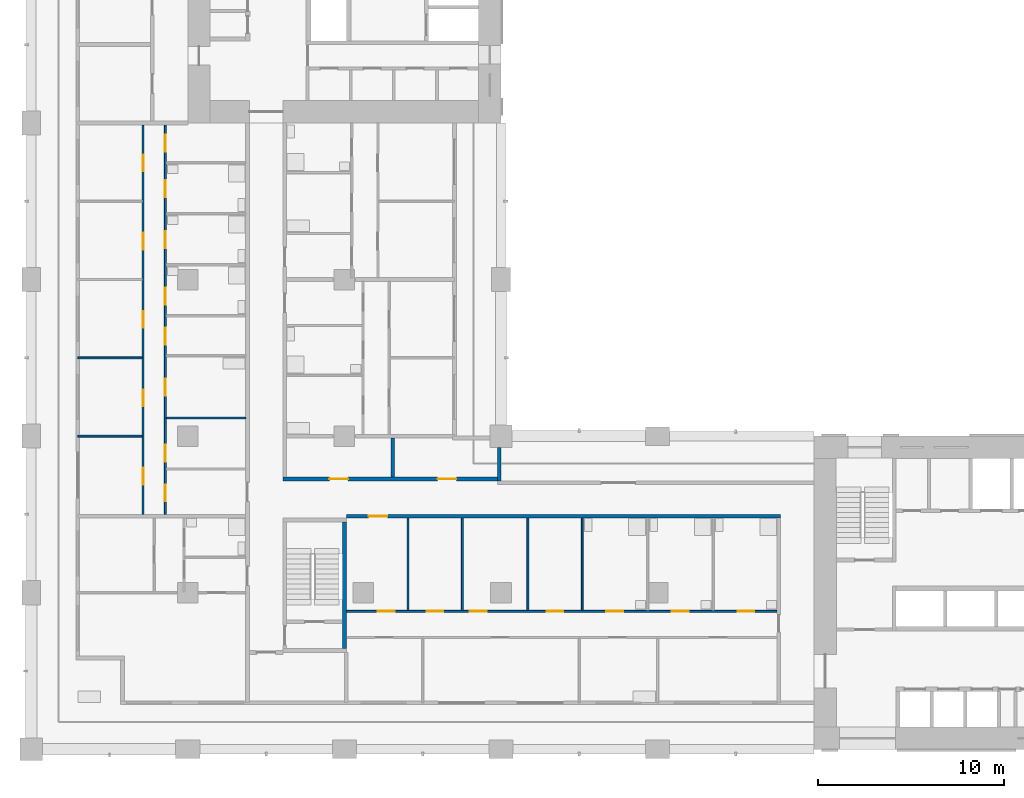
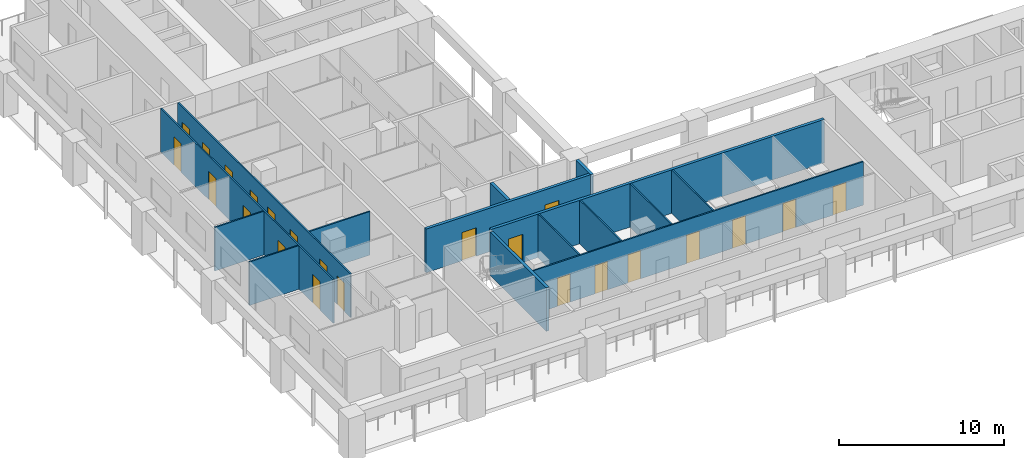
# One storey, part 3 of 17: 23 doors, 15 walls, 23 openings.
"""IFC4 building model written with IfcOpenShell, lengths in metres."""

import ifcopenshell
import ifcopenshell.guid

model = None  # the IFC model being written
_history = None  # IfcOwnerHistory: only IFC2X3 demands one
_inside = {}  # id of a spatial element -> (the spatial element, [elements in it])
_under = {}  # id of a project, library or spatial element -> (it, [spatial elements below it])
_declared = {}  # id of a project -> (the project, [libraries it declares])
_typed = {}  # id of a type object -> (the type object, [elements of that type])
_made_of = {}  # id of a material, layer set ... -> (it, [elements and type objects made of it])


def new_model(schema):
    """Start an empty IFC model of exactly this schema.

    Asked for "IFC4X3", IfcOpenShell would pick the latest addendum, in which some entities
    have other attributes; the version numbers below select the first issue.
    IFC2X3 requires an IfcOwnerHistory on every rooted entity: one is made here for all.
    """
    global model, _history
    if schema == "IFC4X3":
        model = ifcopenshell.file(schema_version=(4, 3, 0, 0))
    else:
        model = ifcopenshell.file(schema=schema)
    _inside.clear()
    _under.clear()
    _declared.clear()
    _typed.clear()
    _made_of.clear()
    _history = None
    if model.schema == "IFC2X3":
        org = make("IfcOrganization", Name="unknown")
        user = make(
            "IfcPersonAndOrganization",
            ThePerson=make("IfcPerson", FamilyName="unknown"),
            TheOrganization=org,
        )
        app = make(
            "IfcApplication",
            ApplicationDeveloper=org,
            Version="unknown",
            ApplicationFullName="unknown",
            ApplicationIdentifier="unknown",
        )
        _history = make(
            "IfcOwnerHistory",
            OwningUser=user,
            OwningApplication=app,
            ChangeAction="ADDED",
            CreationDate=0,
        )
    return model


def make(cls, **values):
    """One entity of the class cls with the attributes given. An attribute that is None is left unset."""
    return model.create_entity(
        cls, **{name: value for name, value in values.items() if value is not None}
    )


def rooted(cls, **values):
    """An entity with a GlobalId (a new one), such as an element, a storey or a relation."""
    return make(cls, GlobalId=ifcopenshell.guid.new(), OwnerHistory=_history, **values)


def si_unit(unit_type, name, prefix=None):
    """IfcSIUnit, for example si_unit("LENGTHUNIT", "METRE", prefix="MILLI")."""
    return make("IfcSIUnit", UnitType=unit_type, Prefix=prefix, Name=name)


def assignment(units):
    """IfcUnitAssignment: the units of a project."""
    return None if units is None else make("IfcUnitAssignment", Units=units)


def point(xyz):
    """IfcCartesianPoint."""
    return None if xyz is None else make("IfcCartesianPoint", Coordinates=xyz)


def direction(xyz):
    """IfcDirection."""
    return None if xyz is None else make("IfcDirection", DirectionRatios=xyz)


def frame(location, z_axis=None, x_axis=None):
    """IfcAxis2Placement3D, a coordinate frame: its origin and axes. An axis left out is left unset."""
    return make(
        "IfcAxis2Placement3D",
        Location=point(location),
        Axis=direction(z_axis),
        RefDirection=direction(x_axis),
    )


def frame_2d(location, x_axis=None):
    """IfcAxis2Placement2D, a coordinate frame in the plane: its origin and x axis."""
    return make(
        "IfcAxis2Placement2D", Location=point(location), RefDirection=direction(x_axis)
    )


def origin():
    """The frame at (0, 0, 0) with its axes left unset."""
    return frame((0.0, 0.0, 0.0))


def place(relative_to, where):
    """IfcLocalPlacement: puts the frame where relative to a parent placement (None: the world)."""
    return make(
        "IfcLocalPlacement", PlacementRelTo=relative_to, RelativePlacement=where
    )


def context(
    kind, dimensions, precision=None, world=None, true_north=None, identifier=None
):
    """IfcGeometricRepresentationContext, for example the 3D "Model" context."""
    return make(
        "IfcGeometricRepresentationContext",
        ContextIdentifier=identifier,
        ContextType=kind,
        CoordinateSpaceDimension=dimensions,
        Precision=precision,
        WorldCoordinateSystem=world,
        TrueNorth=true_north,
    )


def subcontext(parent, identifier, kind, view, scale=None):
    """IfcGeometricRepresentationSubContext, for example "Body" below "Model"."""
    return make(
        "IfcGeometricRepresentationSubContext",
        ContextIdentifier=identifier,
        ContextType=kind,
        ParentContext=parent,
        TargetScale=scale,
        TargetView=view,
    )


def project(units=None, contexts=None):
    """IfcProject with its units and contexts."""
    return rooted(
        "IfcProject",
        Name="project",
        RepresentationContexts=contexts,
        UnitsInContext=assignment(units),
    )


def spatial(cls, under=None, at=None, **own):
    """A site, building, storey or space (cls), placed at a placement, below another one or the project."""
    s = rooted(cls, ObjectPlacement=at, **own)
    if under is not None:
        _under.setdefault(under.id(), (under, []))[1].append(s)
    return s


def profile(cls, at=None, kind="AREA", **sizes):
    """A parametric profile (cls). Its sizes go by their IFC names, for example OverallWidth=200.0."""
    return make(cls, ProfileType=kind, Position=at, **sizes)


def rectangle(**sizes):
    """IfcRectangleProfileDef."""
    return profile("IfcRectangleProfileDef", **sizes)


def extrude(swept, where, along, depth):
    """IfcExtrudedAreaSolid: the profile swept, set in the frame where, extruded along a direction by depth."""
    return make(
        "IfcExtrudedAreaSolid",
        SweptArea=swept,
        Position=where,
        ExtrudedDirection=direction(along),
        Depth=depth,
    )


def shape(context_of_items, identifier, shape_type, items):
    """IfcShapeRepresentation: the items that make up one representation, for example the "Body"."""
    return make(
        "IfcShapeRepresentation",
        ContextOfItems=context_of_items,
        RepresentationIdentifier=identifier,
        RepresentationType=shape_type,
        Items=items,
    )


def material(Name=None, Category=None):
    """IfcMaterial."""
    return make("IfcMaterial", Name=Name, Category=Category)


def layer(
    of_material, thickness, ventilated=None, Name=None, Category=None, Priority=None
):
    """IfcMaterialLayer: one layer of a wall or slab, of a material (None: an air gap)."""
    return make(
        "IfcMaterialLayer",
        Material=of_material,
        LayerThickness=thickness,
        IsVentilated=ventilated,
        Name=Name,
        Category=Category,
        Priority=Priority,
    )


def layer_set(layers, Name=None):
    """IfcMaterialLayerSet."""
    return make("IfcMaterialLayerSet", MaterialLayers=layers, LayerSetName=Name)


def made_of(thing, what):
    """Note that an element or type object is made of a material, layer set ...; save() writes the relation."""
    if what is not None:
        _made_of.setdefault(what.id(), (what, []))[1].append(thing)
    return thing


def type_object(cls, material=None, **own):
    """A type object (cls), such as IfcWallType, which elements share."""
    return made_of(rooted(cls, **own), material)


def element(
    cls,
    number,
    at=None,
    inside=None,
    cuts=None,
    type_object=None,
    material=None,
    context=None,
    identifier="Body",
    shape_type=None,
    held_by="IfcProductDefinitionShape",
    body=None,
    shapes=None,
    **own,
):
    """One element of the class cls, such as IfcWall. Its Tag is "e" and its number.

    at: its placement. inside: the storey or other place that contains it. cuts: it is an
    opening in that element (IfcRelVoidsElement). A single representation is given by context,
    identifier, shape_type and body (its items); several are given by shapes. held_by: the class
    of the entity that holds the representations. save() writes the other relations.
    """
    e = rooted(cls, Tag="e%d" % number, ObjectPlacement=at, **own)
    if body is not None:
        shapes = [shape(context, identifier, shape_type, body)]
    if shapes is not None:
        e.Representation = make(held_by, Representations=shapes)
    if inside is not None:
        _inside.setdefault(inside.id(), (inside, []))[1].append(e)
    if cuts is not None:
        rooted(
            "IfcRelVoidsElement", RelatingBuildingElement=cuts, RelatedOpeningElement=e
        )
    if type_object is not None:
        _typed.setdefault(type_object.id(), (type_object, []))[1].append(e)
    return made_of(e, material)


def fill(opening, filler):
    """IfcRelFillsElement: the door or window that sits in an opening."""
    return rooted(
        "IfcRelFillsElement",
        RelatingOpeningElement=opening,
        RelatedBuildingElement=filler,
    )


def aggregate(whole, parts):
    """IfcRelAggregates: a whole, such as a stair, and the parts it consists of."""
    return rooted("IfcRelAggregates", RelatingObject=whole, RelatedObjects=parts)


def save(model, path):
    """Write the relations noted so far, then the file.

    IfcRelAggregates (storeys below a building ...), IfcRelContainedInSpatialStructure (elements
    in a storey), IfcRelDefinesByType, IfcRelAssociatesMaterial and IfcRelDeclares: one each for
    every whole, place, type object, material and project.
    """
    for whole, parts in _under.values():
        aggregate(whole, parts)
    for where, things in _inside.values():
        rooted(
            "IfcRelContainedInSpatialStructure",
            RelatedElements=things,
            RelatingStructure=where,
        )
    for kind, things in _typed.values():
        rooted("IfcRelDefinesByType", RelatedObjects=things, RelatingType=kind)
    for what, things in _made_of.values():
        rooted("IfcRelAssociatesMaterial", RelatedObjects=things, RelatingMaterial=what)
    for by, libraries in _declared.values():
        rooted("IfcRelDeclares", RelatingContext=by, RelatedDefinitions=libraries)
    model.write(path)


model = new_model("IFC4")

# Units and contexts
model_context = context("Model", 3, precision=1e-05, world=origin(), true_north=direction((0.0, 1.0)))
body_context = subcontext(model_context, "Body", "Model", "MODEL_VIEW")
ifc_project = project(units=[si_unit("LENGTHUNIT", "METRE"), si_unit("AREAUNIT", "SQUARE_METRE"), si_unit("VOLUMEUNIT", "CUBIC_METRE"), si_unit("PLANEANGLEUNIT", "RADIAN"), si_unit("MASSUNIT", "GRAM", prefix="KILO")], contexts=[model_context])

# Site, building, storey
site_placement = place(None, origin())
site = spatial("IfcSite", under=ifc_project, at=site_placement, CompositionType="ELEMENT")
building_placement = place(site_placement, origin())
building = spatial("IfcBuilding", under=site, at=building_placement, Name="Vermilion Gate Residences", CompositionType="ELEMENT")
storey_placement = place(building_placement, frame((0.0, 0.0, 98.699951171875)))
storey = spatial("IfcBuildingStorey", under=building, at=storey_placement, Name="L24", CompositionType="ELEMENT", Elevation=98.699951171875)

# Wall
ifc_material_1 = material(Name="Insulated steel stud wall with terracotta rainscreen", Category="masonry")
ifc_layer_1 = layer(ifc_material_1, 0.199951171875)
ifc_layer_set_1 = layer_set([ifc_layer_1], Name="EXTERNAL WALL 200 TERRACOTTA RAINSCREEN")
wall_type_1 = type_object("IfcWallType", Name="EXTERNAL WALL 200 TERRACOTTA RAINSCREEN", PredefinedType="SOLIDWALL", material=ifc_layer_set_1)
wall_1_placement = place(storey_placement, frame((25.10009765625, 22.800048828125, 0.0), z_axis=(0.0, 0.0, 1.0), x_axis=(0.0, 1.0, 0.0)))
element("IfcWall", 1, at=wall_1_placement, inside=storey, type_object=wall_type_1, Name="External wall", PredefinedType="SOLIDWALL", context=body_context, shape_type="SweptSolid", body=[
    extrude(rectangle(XDim=1.800048828125, YDim=0.199951171875, at=frame_2d((0.89990234375, 0.0))), origin(), (0.0, 0.0, 1.0), 3.219970703125),
])

# Wall, openings, doors
ifc_material_2 = material(Name="Plasterboard on steel studs", Category="steel")
ifc_layer_2 = layer(ifc_material_2, 0.10009765625)
ifc_layer_set_2 = layer_set([ifc_layer_2], Name="PARTITION 100")
wall_type_2 = type_object("IfcWallType", Name="PARTITION 100", PredefinedType="PARTITIONING", material=ifc_layer_set_2)
wall_2_placement = place(storey_placement, frame((16.89990234375, 15.800048828125, 0.0), z_axis=(0.0, 0.0, 1.0), x_axis=(1.0, 0.0, 0.0)))
wall_2 = element("IfcWall", 2, at=wall_2_placement, inside=storey, type_object=wall_type_2, Name="Partition", PredefinedType="PARTITIONING", context=body_context, shape_type="SweptSolid", body=[
    extrude(rectangle(XDim=23.10009765625, YDim=0.10009765625, at=frame_2d((11.550048828125, 0.0))), origin(), (0.0, 0.0, 1.0), 3.219970703125),
])
opening_1_placement = place(wall_2_placement, frame((1.699951171875, 0.0, 0.0)))
opening_1 = element("IfcOpeningElement", 3, at=opening_1_placement, cuts=wall_2, Name="Opening DA22006", PredefinedType="OPENING", context=body_context, shape_type="SweptSolid", body=[
    extrude(rectangle(XDim=0.89990234375, YDim=2.10009765625, at=frame_2d((0.449951171875, 1.050048828125))), frame((0.0, 0.06005859375, 0.0), z_axis=(0.0, -1.0, 0.0), x_axis=(1.0, 0.0, 0.0)), (0.0, 0.0, 1.0), 0.1201171875),
])
opening_2_placement = place(wall_2_placement, frame((4.31396484375, 0.0, 0.0)))
opening_2 = element("IfcOpeningElement", 4, at=opening_2_placement, cuts=wall_2, Name="Opening DA22007", PredefinedType="OPENING", context=body_context, shape_type="SweptSolid", body=[
    extrude(rectangle(XDim=0.89990234375, YDim=2.10009765625, at=frame_2d((0.449951171875, 1.050048828125))), frame((0.0, 0.06005859375, 0.0), z_axis=(0.0, -1.0, 0.0), x_axis=(1.0, 0.0, 0.0)), (0.0, 0.0, 1.0), 0.1201171875),
])
opening_3_placement = place(wall_2_placement, frame((6.62890625, 0.0, 0.0)))
opening_3 = element("IfcOpeningElement", 5, at=opening_3_placement, cuts=wall_2, Name="Opening DA22008", PredefinedType="OPENING", context=body_context, shape_type="SweptSolid", body=[
    extrude(rectangle(XDim=0.89990234375, YDim=2.10009765625, at=frame_2d((0.449951171875, 1.050048828125))), frame((0.0, 0.06005859375, 0.0), z_axis=(0.0, -1.0, 0.0), x_axis=(1.0, 0.0, 0.0)), (0.0, 0.0, 1.0), 0.1201171875),
])
opening_4_placement = place(wall_2_placement, frame((10.742919921875, 0.0, 0.0)))
opening_4 = element("IfcOpeningElement", 6, at=opening_4_placement, cuts=wall_2, Name="Opening DA22009", PredefinedType="OPENING", context=body_context, shape_type="SweptSolid", body=[
    extrude(rectangle(XDim=0.89990234375, YDim=2.10009765625, at=frame_2d((0.449951171875, 1.050048828125))), frame((0.0, 0.06005859375, 0.0), z_axis=(0.0, -1.0, 0.0), x_axis=(1.0, 0.0, 0.0)), (0.0, 0.0, 1.0), 0.1201171875),
])
opening_5_placement = place(wall_2_placement, frame((13.95703125, 0.0, 0.0)))
opening_5 = element("IfcOpeningElement", 7, at=opening_5_placement, cuts=wall_2, Name="Opening DA22010", PredefinedType="OPENING", context=body_context, shape_type="SweptSolid", body=[
    extrude(rectangle(XDim=0.89990234375, YDim=2.10009765625, at=frame_2d((0.449951171875, 1.050048828125))), frame((0.0, 0.06005859375, 0.0), z_axis=(0.0, -1.0, 0.0), x_axis=(1.0, 0.0, 0.0)), (0.0, 0.0, 1.0), 0.1201171875),
])
opening_6_placement = place(wall_2_placement, frame((17.471923828125, 0.0, 0.0)))
opening_6 = element("IfcOpeningElement", 8, at=opening_6_placement, cuts=wall_2, Name="Opening DA22011", PredefinedType="OPENING", context=body_context, shape_type="SweptSolid", body=[
    extrude(rectangle(XDim=0.89990234375, YDim=2.10009765625, at=frame_2d((0.449951171875, 1.050048828125))), frame((0.0, 0.06005859375, 0.0), z_axis=(0.0, -1.0, 0.0), x_axis=(1.0, 0.0, 0.0)), (0.0, 0.0, 1.0), 0.1201171875),
])
opening_7_placement = place(wall_2_placement, frame((20.986083984375, 0.0, 0.0)))
opening_7 = element("IfcOpeningElement", 9, at=opening_7_placement, cuts=wall_2, Name="Opening DA22012", PredefinedType="OPENING", context=body_context, shape_type="SweptSolid", body=[
    extrude(rectangle(XDim=0.89990234375, YDim=2.10009765625, at=frame_2d((0.449951171875, 1.050048828125))), frame((0.0, 0.06005859375, 0.0), z_axis=(0.0, -1.0, 0.0), x_axis=(1.0, 0.0, 0.0)), (0.0, 0.0, 1.0), 0.1201171875),
])
ifc_material_3 = material(Name="Timber", Category="wood")
door_type_1 = type_object("IfcDoorType", Name="INTERIOR DOOR 900 X 2100", OperationType="SINGLE_SWING_LEFT", PredefinedType="DOOR", material=ifc_material_3)
door_1_placement = place(opening_1_placement, origin())
door_1 = element("IfcDoor", 10, at=door_1_placement, inside=storey, type_object=door_type_1, Name="Interior door", OperationType="SINGLE_SWING_RIGHT", OverallHeight=2.10009765625, OverallWidth=0.89990234375, PredefinedType="DOOR", context=body_context, shape_type="SweptSolid", body=[
    extrude(rectangle(XDim=0.89990234375, YDim=2.10009765625, at=frame_2d((0.449951171875, 1.050048828125))), frame((0.0, 0.02490234375, 0.0), z_axis=(0.0, -1.0, 0.0), x_axis=(1.0, 0.0, 0.0)), (0.0, 0.0, 1.0), 0.050048828125),
])
fill(opening_1, door_1)
door_2_placement = place(opening_2_placement, origin())
door_2 = element("IfcDoor", 11, at=door_2_placement, inside=storey, type_object=door_type_1, Name="Interior door", OperationType="SINGLE_SWING_LEFT", OverallHeight=2.10009765625, OverallWidth=0.89990234375, PredefinedType="DOOR", context=body_context, shape_type="SweptSolid", body=[
    extrude(rectangle(XDim=0.89990234375, YDim=2.10009765625, at=frame_2d((0.449951171875, 1.050048828125))), frame((0.0, 0.02490234375, 0.0), z_axis=(0.0, -1.0, 0.0), x_axis=(1.0, 0.0, 0.0)), (0.0, 0.0, 1.0), 0.050048828125),
])
fill(opening_2, door_2)
door_3_placement = place(opening_3_placement, origin())
door_3 = element("IfcDoor", 12, at=door_3_placement, inside=storey, type_object=door_type_1, Name="Interior door", OperationType="SINGLE_SWING_LEFT", OverallHeight=2.10009765625, OverallWidth=0.89990234375, PredefinedType="DOOR", context=body_context, shape_type="SweptSolid", body=[
    extrude(rectangle(XDim=0.89990234375, YDim=2.10009765625, at=frame_2d((0.449951171875, 1.050048828125))), frame((0.0, 0.02490234375, 0.0), z_axis=(0.0, -1.0, 0.0), x_axis=(1.0, 0.0, 0.0)), (0.0, 0.0, 1.0), 0.050048828125),
])
fill(opening_3, door_3)
door_4_placement = place(opening_4_placement, origin())
door_4 = element("IfcDoor", 13, at=door_4_placement, inside=storey, type_object=door_type_1, Name="Interior door", OperationType="SINGLE_SWING_LEFT", OverallHeight=2.10009765625, OverallWidth=0.89990234375, PredefinedType="DOOR", context=body_context, shape_type="SweptSolid", body=[
    extrude(rectangle(XDim=0.89990234375, YDim=2.10009765625, at=frame_2d((0.449951171875, 1.050048828125))), frame((0.0, 0.02490234375, 0.0), z_axis=(0.0, -1.0, 0.0), x_axis=(1.0, 0.0, 0.0)), (0.0, 0.0, 1.0), 0.050048828125),
])
fill(opening_4, door_4)
door_5_placement = place(opening_5_placement, origin())
door_5 = element("IfcDoor", 14, at=door_5_placement, inside=storey, type_object=door_type_1, Name="Interior door", OperationType="SINGLE_SWING_RIGHT", OverallHeight=2.10009765625, OverallWidth=0.89990234375, PredefinedType="DOOR", context=body_context, shape_type="SweptSolid", body=[
    extrude(rectangle(XDim=0.89990234375, YDim=2.10009765625, at=frame_2d((0.449951171875, 1.050048828125))), frame((0.0, 0.02490234375, 0.0), z_axis=(0.0, -1.0, 0.0), x_axis=(1.0, 0.0, 0.0)), (0.0, 0.0, 1.0), 0.050048828125),
])
fill(opening_5, door_5)
door_6_placement = place(opening_6_placement, origin())
door_6 = element("IfcDoor", 15, at=door_6_placement, inside=storey, type_object=door_type_1, Name="Interior door", OperationType="SINGLE_SWING_RIGHT", OverallHeight=2.10009765625, OverallWidth=0.89990234375, PredefinedType="DOOR", context=body_context, shape_type="SweptSolid", body=[
    extrude(rectangle(XDim=0.89990234375, YDim=2.10009765625, at=frame_2d((0.449951171875, 1.050048828125))), frame((0.0, 0.02490234375, 0.0), z_axis=(0.0, -1.0, 0.0), x_axis=(1.0, 0.0, 0.0)), (0.0, 0.0, 1.0), 0.050048828125),
])
fill(opening_6, door_6)
door_7_placement = place(opening_7_placement, origin())
door_7 = element("IfcDoor", 16, at=door_7_placement, inside=storey, type_object=door_type_1, Name="Interior door", OperationType="SINGLE_SWING_RIGHT", OverallHeight=2.10009765625, OverallWidth=0.89990234375, PredefinedType="DOOR", context=body_context, shape_type="SweptSolid", body=[
    extrude(rectangle(XDim=0.89990234375, YDim=2.10009765625, at=frame_2d((0.449951171875, 1.050048828125))), frame((0.0, 0.02490234375, 0.0), z_axis=(0.0, -1.0, 0.0), x_axis=(1.0, 0.0, 0.0)), (0.0, 0.0, 1.0), 0.050048828125),
])
fill(opening_7, door_7)

# Walls
wall_3_placement = place(storey_placement, frame((2.5, 25.199951171875, 0.0), z_axis=(0.0, 0.0, 1.0), x_axis=(1.0, 0.0, 0.0)))
element("IfcWall", 17, at=wall_3_placement, inside=storey, type_object=wall_type_2, Name="Partition", PredefinedType="PARTITIONING", context=body_context, shape_type="SweptSolid", body=[
    extrude(rectangle(XDim=3.449951171875, YDim=0.10009765625, at=frame_2d((1.72509765625, 0.0))), origin(), (0.0, 0.0, 1.0), 3.219970703125),
])
wall_4_placement = place(storey_placement, frame((7.25, 26.175048828125, 0.0), z_axis=(0.0, 0.0, 1.0), x_axis=(1.0, 0.0, 0.0)))
element("IfcWall", 18, at=wall_4_placement, inside=storey, type_object=wall_type_2, Name="Partition", PredefinedType="PARTITIONING", context=body_context, shape_type="SweptSolid", body=[
    extrude(rectangle(XDim=4.25, YDim=0.10009765625, at=frame_2d((2.125, 0.0))), origin(), (0.0, 0.0, 1.0), 3.219970703125),
])
wall_5_placement = place(storey_placement, frame((2.5, 29.39990234375, 0.0), z_axis=(0.0, 0.0, 1.0), x_axis=(1.0, 0.0, 0.0)))
element("IfcWall", 19, at=wall_5_placement, inside=storey, type_object=wall_type_2, Name="Partition", PredefinedType="PARTITIONING", context=body_context, shape_type="SweptSolid", body=[
    extrude(rectangle(XDim=3.449951171875, YDim=0.10009765625, at=frame_2d((1.72509765625, 0.0))), origin(), (0.0, 0.0, 1.0), 3.219970703125),
])

# Wall, openings, doors
wall_6_placement = place(storey_placement, frame((6.0, 21.0, 0.0), z_axis=(0.0, 0.0, 1.0), x_axis=(0.0, 1.0, 0.0)))
wall_6 = element("IfcWall", 20, at=wall_6_placement, inside=storey, type_object=wall_type_2, Name="Partition", PredefinedType="PARTITIONING", context=body_context, shape_type="SweptSolid", body=[
    extrude(rectangle(XDim=20.89990234375, YDim=0.10009765625, at=frame_2d((10.449951171875, 0.0))), origin(), (0.0, 0.0, 1.0), 3.219970703125),
])
opening_8_placement = place(wall_6_placement, frame((1.60009765625, 0.0, 0.0)))
opening_8 = element("IfcOpeningElement", 21, at=opening_8_placement, cuts=wall_6, Name="Opening DA22017", PredefinedType="OPENING", context=body_context, shape_type="SweptSolid", body=[
    extrude(rectangle(XDim=0.89990234375, YDim=2.10009765625, at=frame_2d((0.449951171875, 1.050048828125))), frame((0.0, 0.06005859375, 0.0), z_axis=(0.0, -1.0, 0.0), x_axis=(1.0, 0.0, 0.0)), (0.0, 0.0, 1.0), 0.1201171875),
])
opening_9_placement = place(wall_6_placement, frame((5.800048828125, 0.0, 0.0)))
opening_9 = element("IfcOpeningElement", 22, at=opening_9_placement, cuts=wall_6, Name="Opening DA22018", PredefinedType="OPENING", context=body_context, shape_type="SweptSolid", body=[
    extrude(rectangle(XDim=0.89990234375, YDim=2.10009765625, at=frame_2d((0.449951171875, 1.050048828125))), frame((0.0, 0.06005859375, 0.0), z_axis=(0.0, -1.0, 0.0), x_axis=(1.0, 0.0, 0.0)), (0.0, 0.0, 1.0), 0.1201171875),
])
opening_10_placement = place(wall_6_placement, frame((10.0, 0.0, 0.0)))
opening_10 = element("IfcOpeningElement", 23, at=opening_10_placement, cuts=wall_6, Name="Opening DA22019", PredefinedType="OPENING", context=body_context, shape_type="SweptSolid", body=[
    extrude(rectangle(XDim=0.89990234375, YDim=2.10009765625, at=frame_2d((0.449951171875, 1.050048828125))), frame((0.0, 0.06005859375, 0.0), z_axis=(0.0, -1.0, 0.0), x_axis=(1.0, 0.0, 0.0)), (0.0, 0.0, 1.0), 0.1201171875),
])
opening_11_placement = place(wall_6_placement, frame((14.199951171875, 0.0, 0.0)))
opening_11 = element("IfcOpeningElement", 24, at=opening_11_placement, cuts=wall_6, Name="Opening DA22020", PredefinedType="OPENING", context=body_context, shape_type="SweptSolid", body=[
    extrude(rectangle(XDim=0.89990234375, YDim=2.10009765625, at=frame_2d((0.449951171875, 1.050048828125))), frame((0.0, 0.06005859375, 0.0), z_axis=(0.0, -1.0, 0.0), x_axis=(1.0, 0.0, 0.0)), (0.0, 0.0, 1.0), 0.1201171875),
])
opening_12_placement = place(wall_6_placement, frame((18.39990234375, 0.0, 0.0)))
opening_12 = element("IfcOpeningElement", 25, at=opening_12_placement, cuts=wall_6, Name="Opening DA22021", PredefinedType="OPENING", context=body_context, shape_type="SweptSolid", body=[
    extrude(rectangle(XDim=0.89990234375, YDim=2.10009765625, at=frame_2d((0.449951171875, 1.050048828125))), frame((0.0, 0.06005859375, 0.0), z_axis=(0.0, -1.0, 0.0), x_axis=(1.0, 0.0, 0.0)), (0.0, 0.0, 1.0), 0.1201171875),
])
door_8_placement = place(opening_8_placement, origin())
door_8 = element("IfcDoor", 26, at=door_8_placement, inside=storey, type_object=door_type_1, Name="Interior door", OperationType="SINGLE_SWING_LEFT", OverallHeight=2.10009765625, OverallWidth=0.89990234375, PredefinedType="DOOR", context=body_context, shape_type="SweptSolid", body=[
    extrude(rectangle(XDim=0.89990234375, YDim=2.10009765625, at=frame_2d((0.449951171875, 1.050048828125))), frame((0.0, 0.02490234375, 0.0), z_axis=(0.0, -1.0, 0.0), x_axis=(1.0, 0.0, 0.0)), (0.0, 0.0, 1.0), 0.050048828125),
])
fill(opening_8, door_8)
door_9_placement = place(opening_9_placement, origin())
door_9 = element("IfcDoor", 27, at=door_9_placement, inside=storey, type_object=door_type_1, Name="Interior door", OperationType="SINGLE_SWING_LEFT", OverallHeight=2.10009765625, OverallWidth=0.89990234375, PredefinedType="DOOR", context=body_context, shape_type="SweptSolid", body=[
    extrude(rectangle(XDim=0.89990234375, YDim=2.10009765625, at=frame_2d((0.449951171875, 1.050048828125))), frame((0.0, 0.02490234375, 0.0), z_axis=(0.0, -1.0, 0.0), x_axis=(1.0, 0.0, 0.0)), (0.0, 0.0, 1.0), 0.050048828125),
])
fill(opening_9, door_9)
door_10_placement = place(opening_10_placement, origin())
door_10 = element("IfcDoor", 28, at=door_10_placement, inside=storey, type_object=door_type_1, Name="Interior door", OperationType="SINGLE_SWING_LEFT", OverallHeight=2.10009765625, OverallWidth=0.89990234375, PredefinedType="DOOR", context=body_context, shape_type="SweptSolid", body=[
    extrude(rectangle(XDim=0.89990234375, YDim=2.10009765625, at=frame_2d((0.449951171875, 1.050048828125))), frame((0.0, 0.02490234375, 0.0), z_axis=(0.0, -1.0, 0.0), x_axis=(1.0, 0.0, 0.0)), (0.0, 0.0, 1.0), 0.050048828125),
])
fill(opening_10, door_10)
door_11_placement = place(opening_11_placement, origin())
door_11 = element("IfcDoor", 29, at=door_11_placement, inside=storey, type_object=door_type_1, Name="Interior door", OperationType="SINGLE_SWING_LEFT", OverallHeight=2.10009765625, OverallWidth=0.89990234375, PredefinedType="DOOR", context=body_context, shape_type="SweptSolid", body=[
    extrude(rectangle(XDim=0.89990234375, YDim=2.10009765625, at=frame_2d((0.449951171875, 1.050048828125))), frame((0.0, 0.02490234375, 0.0), z_axis=(0.0, -1.0, 0.0), x_axis=(1.0, 0.0, 0.0)), (0.0, 0.0, 1.0), 0.050048828125),
])
fill(opening_11, door_11)
door_12_placement = place(opening_12_placement, origin())
door_12 = element("IfcDoor", 30, at=door_12_placement, inside=storey, type_object=door_type_1, Name="Interior door", OperationType="SINGLE_SWING_LEFT", OverallHeight=2.10009765625, OverallWidth=0.89990234375, PredefinedType="DOOR", context=body_context, shape_type="SweptSolid", body=[
    extrude(rectangle(XDim=0.89990234375, YDim=2.10009765625, at=frame_2d((0.449951171875, 1.050048828125))), frame((0.0, 0.02490234375, 0.0), z_axis=(0.0, -1.0, 0.0), x_axis=(1.0, 0.0, 0.0)), (0.0, 0.0, 1.0), 0.050048828125),
])
fill(opening_12, door_12)

wall_7_placement = place(storey_placement, frame((7.199951171875, 21.0, 0.0), z_axis=(0.0, 0.0, 1.0), x_axis=(0.0, 1.0, 0.0)))
wall_7 = element("IfcWall", 31, at=wall_7_placement, inside=storey, type_object=wall_type_2, Name="Partition", PredefinedType="PARTITIONING", context=body_context, shape_type="SweptSolid", body=[
    extrude(rectangle(XDim=20.89990234375, YDim=0.10009765625, at=frame_2d((10.449951171875, 0.0))), origin(), (0.0, 0.0, 1.0), 3.219970703125),
])
opening_13_placement = place(wall_7_placement, frame((0.699951171875, 0.0, 0.0)))
opening_13 = element("IfcOpeningElement", 32, at=opening_13_placement, cuts=wall_7, Name="Opening DA22026", PredefinedType="OPENING", context=body_context, shape_type="SweptSolid", body=[
    extrude(rectangle(XDim=0.89990234375, YDim=2.10009765625, at=frame_2d((0.449951171875, 1.050048828125))), frame((0.0, 0.06005859375, 0.0), z_axis=(0.0, -1.0, 0.0), x_axis=(1.0, 0.0, 0.0)), (0.0, 0.0, 1.0), 0.1201171875),
])
opening_14_placement = place(wall_7_placement, frame((2.837890625, 0.0, 0.0)))
opening_14 = element("IfcOpeningElement", 33, at=opening_14_placement, cuts=wall_7, Name="Opening DA22027", PredefinedType="OPENING", context=body_context, shape_type="SweptSolid", body=[
    extrude(rectangle(XDim=0.89990234375, YDim=2.10009765625, at=frame_2d((0.449951171875, 1.050048828125))), frame((0.0, 0.06005859375, 0.0), z_axis=(0.0, -1.0, 0.0), x_axis=(1.0, 0.0, 0.0)), (0.0, 0.0, 1.0), 0.1201171875),
])
opening_15_placement = place(wall_7_placement, frame((6.375, 0.0, 0.0)))
opening_15 = element("IfcOpeningElement", 34, at=opening_15_placement, cuts=wall_7, Name="Opening DA22028", PredefinedType="OPENING", context=body_context, shape_type="SweptSolid", body=[
    extrude(rectangle(XDim=0.89990234375, YDim=2.10009765625, at=frame_2d((0.449951171875, 1.050048828125))), frame((0.0, 0.06005859375, 0.0), z_axis=(0.0, -1.0, 0.0), x_axis=(1.0, 0.0, 0.0)), (0.0, 0.0, 1.0), 0.1201171875),
])
opening_16_placement = place(wall_7_placement, frame((9.113037109375, 0.0, 0.0)))
opening_16 = element("IfcOpeningElement", 35, at=opening_16_placement, cuts=wall_7, Name="Opening DA22029", PredefinedType="OPENING", context=body_context, shape_type="SweptSolid", body=[
    extrude(rectangle(XDim=0.89990234375, YDim=2.10009765625, at=frame_2d((0.449951171875, 1.050048828125))), frame((0.0, 0.06005859375, 0.0), z_axis=(0.0, -1.0, 0.0), x_axis=(1.0, 0.0, 0.0)), (0.0, 0.0, 1.0), 0.1201171875),
])
opening_17_placement = place(wall_7_placement, frame((11.25, 0.0, 0.0)))
opening_17 = element("IfcOpeningElement", 36, at=opening_17_placement, cuts=wall_7, Name="Opening DA22030", PredefinedType="OPENING", context=body_context, shape_type="SweptSolid", body=[
    extrude(rectangle(XDim=0.89990234375, YDim=2.10009765625, at=frame_2d((0.449951171875, 1.050048828125))), frame((0.0, 0.06005859375, 0.0), z_axis=(0.0, -1.0, 0.0), x_axis=(1.0, 0.0, 0.0)), (0.0, 0.0, 1.0), 0.1201171875),
])
opening_18_placement = place(wall_7_placement, frame((14.2880859375, 0.0, 0.0)))
opening_18 = element("IfcOpeningElement", 37, at=opening_18_placement, cuts=wall_7, Name="Opening DA22031", PredefinedType="OPENING", context=body_context, shape_type="SweptSolid", body=[
    extrude(rectangle(XDim=0.89990234375, YDim=2.10009765625, at=frame_2d((0.449951171875, 1.050048828125))), frame((0.0, 0.06005859375, 0.0), z_axis=(0.0, -1.0, 0.0), x_axis=(1.0, 0.0, 0.0)), (0.0, 0.0, 1.0), 0.1201171875),
])
opening_19_placement = place(wall_7_placement, frame((17.02490234375, 0.0, 0.0)))
opening_19 = element("IfcOpeningElement", 38, at=opening_19_placement, cuts=wall_7, Name="Opening DA22032", PredefinedType="OPENING", context=body_context, shape_type="SweptSolid", body=[
    extrude(rectangle(XDim=0.89990234375, YDim=2.10009765625, at=frame_2d((0.449951171875, 1.050048828125))), frame((0.0, 0.06005859375, 0.0), z_axis=(0.0, -1.0, 0.0), x_axis=(1.0, 0.0, 0.0)), (0.0, 0.0, 1.0), 0.1201171875),
])
opening_20_placement = place(wall_7_placement, frame((19.462890625, 0.0, 0.0)))
opening_20 = element("IfcOpeningElement", 39, at=opening_20_placement, cuts=wall_7, Name="Opening DA22033", PredefinedType="OPENING", context=body_context, shape_type="SweptSolid", body=[
    extrude(rectangle(XDim=0.89990234375, YDim=2.10009765625, at=frame_2d((0.449951171875, 1.050048828125))), frame((0.0, 0.06005859375, 0.0), z_axis=(0.0, -1.0, 0.0), x_axis=(1.0, 0.0, 0.0)), (0.0, 0.0, 1.0), 0.1201171875),
])
door_13_placement = place(opening_13_placement, frame((0.89990234375, 0.0, 0.0), z_axis=(0.0, 0.0, 1.0), x_axis=(-1.0, 0.0, 0.0)))
door_13 = element("IfcDoor", 40, at=door_13_placement, inside=storey, type_object=door_type_1, Name="Interior door", OperationType="SINGLE_SWING_RIGHT", OverallHeight=2.10009765625, OverallWidth=0.89990234375, PredefinedType="DOOR", context=body_context, shape_type="SweptSolid", body=[
    extrude(rectangle(XDim=0.89990234375, YDim=2.10009765625, at=frame_2d((0.449951171875, 1.050048828125))), frame((0.0, 0.02490234375, 0.0), z_axis=(0.0, -1.0, 0.0), x_axis=(1.0, 0.0, 0.0)), (0.0, 0.0, 1.0), 0.050048828125),
])
fill(opening_13, door_13)
door_14_placement = place(opening_14_placement, frame((0.89990234375, 0.0, 0.0), z_axis=(0.0, 0.0, 1.0), x_axis=(-1.0, 0.0, 0.0)))
door_14 = element("IfcDoor", 41, at=door_14_placement, inside=storey, type_object=door_type_1, Name="Interior door", OperationType="SINGLE_SWING_RIGHT", OverallHeight=2.10009765625, OverallWidth=0.89990234375, PredefinedType="DOOR", context=body_context, shape_type="SweptSolid", body=[
    extrude(rectangle(XDim=0.89990234375, YDim=2.10009765625, at=frame_2d((0.449951171875, 1.050048828125))), frame((0.0, 0.02490234375, 0.0), z_axis=(0.0, -1.0, 0.0), x_axis=(1.0, 0.0, 0.0)), (0.0, 0.0, 1.0), 0.050048828125),
])
fill(opening_14, door_14)
door_15_placement = place(opening_15_placement, frame((0.89990234375, 0.0, 0.0), z_axis=(0.0, 0.0, 1.0), x_axis=(-1.0, 0.0, 0.0)))
door_15 = element("IfcDoor", 42, at=door_15_placement, inside=storey, type_object=door_type_1, Name="Interior door", OperationType="SINGLE_SWING_RIGHT", OverallHeight=2.10009765625, OverallWidth=0.89990234375, PredefinedType="DOOR", context=body_context, shape_type="SweptSolid", body=[
    extrude(rectangle(XDim=0.89990234375, YDim=2.10009765625, at=frame_2d((0.449951171875, 1.050048828125))), frame((0.0, 0.02490234375, 0.0), z_axis=(0.0, -1.0, 0.0), x_axis=(1.0, 0.0, 0.0)), (0.0, 0.0, 1.0), 0.050048828125),
])
fill(opening_15, door_15)
door_16_placement = place(opening_16_placement, frame((0.89990234375, 0.0, 0.0), z_axis=(0.0, 0.0, 1.0), x_axis=(-1.0, 0.0, 0.0)))
door_16 = element("IfcDoor", 43, at=door_16_placement, inside=storey, type_object=door_type_1, Name="Interior door", OperationType="SINGLE_SWING_RIGHT", OverallHeight=2.10009765625, OverallWidth=0.89990234375, PredefinedType="DOOR", context=body_context, shape_type="SweptSolid", body=[
    extrude(rectangle(XDim=0.89990234375, YDim=2.10009765625, at=frame_2d((0.449951171875, 1.050048828125))), frame((0.0, 0.02490234375, 0.0), z_axis=(0.0, -1.0, 0.0), x_axis=(1.0, 0.0, 0.0)), (0.0, 0.0, 1.0), 0.050048828125),
])
fill(opening_16, door_16)
door_17_placement = place(opening_17_placement, frame((0.89990234375, 0.0, 0.0), z_axis=(0.0, 0.0, 1.0), x_axis=(-1.0, 0.0, 0.0)))
door_17 = element("IfcDoor", 44, at=door_17_placement, inside=storey, type_object=door_type_1, Name="Interior door", OperationType="SINGLE_SWING_RIGHT", OverallHeight=2.10009765625, OverallWidth=0.89990234375, PredefinedType="DOOR", context=body_context, shape_type="SweptSolid", body=[
    extrude(rectangle(XDim=0.89990234375, YDim=2.10009765625, at=frame_2d((0.449951171875, 1.050048828125))), frame((0.0, 0.02490234375, 0.0), z_axis=(0.0, -1.0, 0.0), x_axis=(1.0, 0.0, 0.0)), (0.0, 0.0, 1.0), 0.050048828125),
])
fill(opening_17, door_17)
door_18_placement = place(opening_18_placement, frame((0.89990234375, 0.0, 0.0), z_axis=(0.0, 0.0, 1.0), x_axis=(-1.0, 0.0, 0.0)))
door_18 = element("IfcDoor", 45, at=door_18_placement, inside=storey, type_object=door_type_1, Name="Interior door", OperationType="SINGLE_SWING_LEFT", OverallHeight=2.10009765625, OverallWidth=0.89990234375, PredefinedType="DOOR", context=body_context, shape_type="SweptSolid", body=[
    extrude(rectangle(XDim=0.89990234375, YDim=2.10009765625, at=frame_2d((0.449951171875, 1.050048828125))), frame((0.0, 0.02490234375, 0.0), z_axis=(0.0, -1.0, 0.0), x_axis=(1.0, 0.0, 0.0)), (0.0, 0.0, 1.0), 0.050048828125),
])
fill(opening_18, door_18)
door_19_placement = place(opening_19_placement, frame((0.89990234375, 0.0, 0.0), z_axis=(0.0, 0.0, 1.0), x_axis=(-1.0, 0.0, 0.0)))
door_19 = element("IfcDoor", 46, at=door_19_placement, inside=storey, type_object=door_type_1, Name="Interior door", OperationType="SINGLE_SWING_LEFT", OverallHeight=2.10009765625, OverallWidth=0.89990234375, PredefinedType="DOOR", context=body_context, shape_type="SweptSolid", body=[
    extrude(rectangle(XDim=0.89990234375, YDim=2.10009765625, at=frame_2d((0.449951171875, 1.050048828125))), frame((0.0, 0.02490234375, 0.0), z_axis=(0.0, -1.0, 0.0), x_axis=(1.0, 0.0, 0.0)), (0.0, 0.0, 1.0), 0.050048828125),
])
fill(opening_19, door_19)
door_20_placement = place(opening_20_placement, frame((0.89990234375, 0.0, 0.0), z_axis=(0.0, 0.0, 1.0), x_axis=(-1.0, 0.0, 0.0)))
door_20 = element("IfcDoor", 47, at=door_20_placement, inside=storey, type_object=door_type_1, Name="Interior door", OperationType="SINGLE_SWING_LEFT", OverallHeight=2.10009765625, OverallWidth=0.89990234375, PredefinedType="DOOR", context=body_context, shape_type="SweptSolid", body=[
    extrude(rectangle(XDim=0.89990234375, YDim=2.10009765625, at=frame_2d((0.449951171875, 1.050048828125))), frame((0.0, 0.02490234375, 0.0), z_axis=(0.0, -1.0, 0.0), x_axis=(1.0, 0.0, 0.0)), (0.0, 0.0, 1.0), 0.050048828125),
])
fill(opening_20, door_20)

# Walls
for number, where, z_axis, x_axis, name in (
    (48, (20.214111328125, 15.85009765625, 0.0), (0.0, 0.0, 1.0), (0.0, 1.0, 0.0), "Partition"),
    (49, (23.12890625, 15.85009765625, 0.0), (0.0, 0.0, 1.0), (0.0, 1.0, 0.0), "Partition"),
    (50, (26.64306640625, 15.85009765625, 0.0), (0.0, 0.0, 1.0), (0.0, 1.0, 0.0), "Partition"),
    (51, (29.556884765625, 15.85009765625, 0.0), (0.0, 0.0, 1.0), (0.0, 1.0, 0.0), "Partition"),
):
    element("IfcWall", number, at=place(storey_placement, frame(where, z_axis=z_axis, x_axis=x_axis)), inside=storey, type_object=wall_type_2, Name=name, PredefinedType="PARTITIONING", context=body_context, shape_type="SweptSolid", body=[
        extrude(rectangle(XDim=4.949951171875, YDim=0.10009765625, at=frame_2d((2.47509765625, 0.0))), origin(), (0.0, 0.0, 1.0), 3.219970703125),
    ])

# Wall, opening, door
ifc_material_4 = material(Name="Fire-rated plasterboard on steel studs", Category="steel")
ifc_layer_3 = layer(ifc_material_4, 0.199951171875)
ifc_layer_set_3 = layer_set([ifc_layer_3], Name="PARTY WALL 200 EI 120")
wall_type_3 = type_object("IfcWallType", Name="PARTY WALL 200 EI 120", PredefinedType="PARTITIONING", material=ifc_layer_set_3)
wall_8_placement = place(storey_placement, frame((16.89990234375, 20.89990234375, 0.0), z_axis=(0.0, 0.0, 1.0), x_axis=(1.0, 0.0, 0.0)))
wall_8 = element("IfcWall", 52, at=wall_8_placement, inside=storey, type_object=wall_type_3, Name="Party and corridor wall", PredefinedType="PARTITIONING", context=body_context, shape_type="SweptSolid", body=[
    extrude(rectangle(XDim=23.300048828125, YDim=0.199951171875, at=frame_2d((11.64990234375, 0.0))), origin(), (0.0, 0.0, 1.0), 3.219970703125),
])
opening_21_placement = place(wall_8_placement, frame((1.199951171875, 0.0, 0.0)))
opening_21 = element("IfcOpeningElement", 53, at=opening_21_placement, cuts=wall_8, Name="Opening DA22014", PredefinedType="OPENING", context=body_context, shape_type="SweptSolid", body=[
    extrude(rectangle(XDim=1.0, YDim=2.10009765625, at=frame_2d((0.5, 1.050048828125))), frame((0.0, 0.10986328125, 0.0), z_axis=(0.0, -1.0, 0.0), x_axis=(1.0, 0.0, 0.0)), (0.0, 0.0, 1.0), 0.219970703125),
])
ifc_material_5 = material(Name="Steel", Category="steel")
door_type_2 = type_object("IfcDoorType", Name="ENTRANCE DOOR 1000 X 2100 FD30", OperationType="SINGLE_SWING_LEFT", PredefinedType="DOOR", material=ifc_material_5)
door_21_placement = place(opening_21_placement, frame((1.0, 0.0, 0.0), z_axis=(0.0, 0.0, 1.0), x_axis=(-1.0, 0.0, 0.0)))
door_21 = element("IfcDoor", 54, at=door_21_placement, inside=storey, type_object=door_type_2, Name="Entrance door", OperationType="SINGLE_SWING_LEFT", OverallHeight=2.10009765625, OverallWidth=1.0, PredefinedType="DOOR", context=body_context, shape_type="SweptSolid", body=[
    extrude(rectangle(XDim=1.0, YDim=2.10009765625, at=frame_2d((0.5, 1.050048828125))), frame((0.0, 0.02490234375, 0.0), z_axis=(0.0, -1.0, 0.0), x_axis=(1.0, 0.0, 0.0)), (0.0, 0.0, 1.0), 0.050048828125),
])
fill(opening_21, door_21)

# Wall, openings, doors
wall_9_placement = place(storey_placement, frame((13.5, 22.89990234375, 0.0), z_axis=(0.0, 0.0, 1.0), x_axis=(1.0, 0.0, 0.0)))
wall_9 = element("IfcWall", 55, at=wall_9_placement, inside=storey, type_object=wall_type_3, Name="Party and corridor wall", PredefinedType="PARTITIONING", context=body_context, shape_type="SweptSolid", body=[
    extrude(rectangle(XDim=11.60009765625, YDim=0.199951171875, at=frame_2d((5.800048828125, 0.0))), origin(), (0.0, 0.0, 1.0), 3.219970703125),
])
opening_22_placement = place(wall_9_placement, frame((2.5, 0.0, 0.0)))
opening_22 = element("IfcOpeningElement", 56, at=opening_22_placement, cuts=wall_9, Name="Opening DA22015", PredefinedType="OPENING", context=body_context, shape_type="SweptSolid", body=[
    extrude(rectangle(XDim=1.0, YDim=2.10009765625, at=frame_2d((0.5, 1.050048828125))), frame((0.0, 0.10986328125, 0.0), z_axis=(0.0, -1.0, 0.0), x_axis=(1.0, 0.0, 0.0)), (0.0, 0.0, 1.0), 0.219970703125),
])
opening_23_placement = place(wall_9_placement, frame((8.300048828125, 0.0, 0.0)))
opening_23 = element("IfcOpeningElement", 57, at=opening_23_placement, cuts=wall_9, Name="Opening DA22016", PredefinedType="OPENING", context=body_context, shape_type="SweptSolid", body=[
    extrude(rectangle(XDim=1.0, YDim=2.10009765625, at=frame_2d((0.5, 1.050048828125))), frame((0.0, 0.10986328125, 0.0), z_axis=(0.0, -1.0, 0.0), x_axis=(1.0, 0.0, 0.0)), (0.0, 0.0, 1.0), 0.219970703125),
])
door_22_placement = place(opening_22_placement, origin())
door_22 = element("IfcDoor", 58, at=door_22_placement, inside=storey, type_object=door_type_2, Name="Entrance door", OperationType="SINGLE_SWING_RIGHT", OverallHeight=2.10009765625, OverallWidth=1.0, PredefinedType="DOOR", context=body_context, shape_type="SweptSolid", body=[
    extrude(rectangle(XDim=1.0, YDim=2.10009765625, at=frame_2d((0.5, 1.050048828125))), frame((0.0, 0.02490234375, 0.0), z_axis=(0.0, -1.0, 0.0), x_axis=(1.0, 0.0, 0.0)), (0.0, 0.0, 1.0), 0.050048828125),
])
fill(opening_22, door_22)
door_23_placement = place(opening_23_placement, origin())
door_23 = element("IfcDoor", 59, at=door_23_placement, inside=storey, type_object=door_type_2, Name="Entrance door", OperationType="SINGLE_SWING_RIGHT", OverallHeight=2.10009765625, OverallWidth=1.0, PredefinedType="DOOR", context=body_context, shape_type="SweptSolid", body=[
    extrude(rectangle(XDim=1.0, YDim=2.10009765625, at=frame_2d((0.5, 1.050048828125))), frame((0.0, 0.02490234375, 0.0), z_axis=(0.0, -1.0, 0.0), x_axis=(1.0, 0.0, 0.0)), (0.0, 0.0, 1.0), 0.050048828125),
])
fill(opening_23, door_23)

# Walls
wall_10_placement = place(storey_placement, frame((19.39990234375, 23.0, 0.0), z_axis=(0.0, 0.0, 1.0), x_axis=(0.0, 1.0, 0.0)))
element("IfcWall", 60, at=wall_10_placement, inside=storey, type_object=wall_type_3, Name="Party and corridor wall", PredefinedType="PARTITIONING", context=body_context, shape_type="SweptSolid", body=[
    extrude(rectangle(XDim=2.10009765625, YDim=0.199951171875, at=frame_2d((1.050048828125, 0.0))), origin(), (0.0, 0.0, 1.0), 3.219970703125),
])
ifc_material_6 = material(Name="Concrete C60", Category="concrete")
ifc_layer_4 = layer(ifc_material_6, 0.199951171875)
ifc_layer_set_4 = layer_set([ifc_layer_4], Name="RC CORE INTERNAL WALL 200 C60")
wall_type_4 = type_object("IfcWallType", Name="RC CORE INTERNAL WALL 200 C60", PredefinedType="SHEAR", material=ifc_layer_set_4)
wall_11_placement = place(storey_placement, frame((16.800048828125, 13.800048828125, 0.0), z_axis=(0.0, 0.0, 1.0), x_axis=(0.0, 1.0, 0.0)))
element("IfcWall", 61, at=wall_11_placement, inside=storey, type_object=wall_type_4, Name="Core internal wall C24-E", PredefinedType="SHEAR", context=body_context, shape_type="SweptSolid", body=[
    extrude(rectangle(XDim=6.800048828125, YDim=0.199951171875, at=frame_2d((3.39990234375, 0.0))), origin(), (0.0, 0.0, 1.0), 3.219970703125),
])

save(model, "model.ifc")
